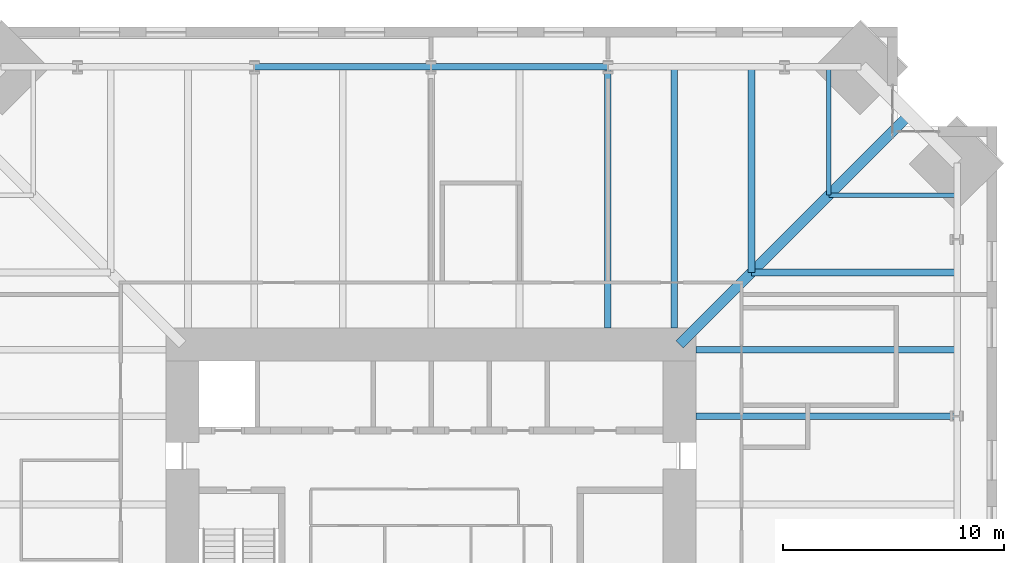
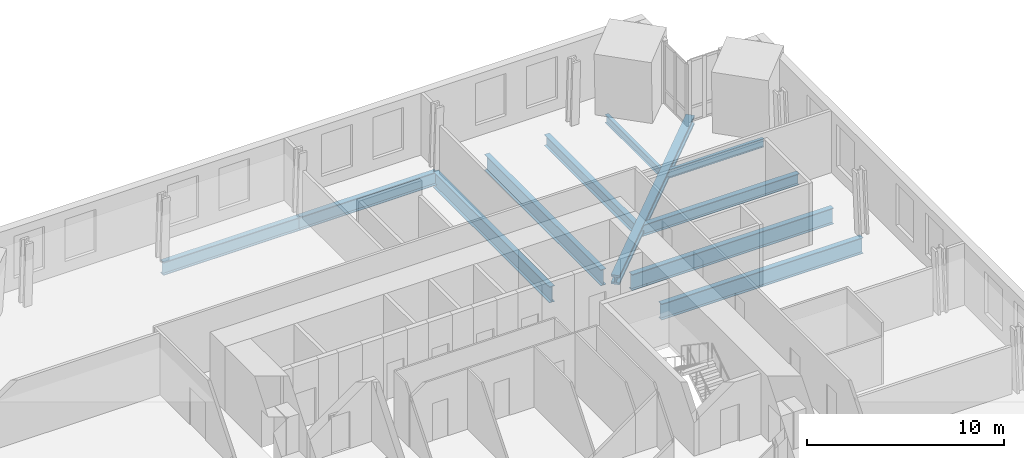
# One storey, part 9 of 18: 11 beams.
"""IFC4 building model written with IfcOpenShell, lengths in metres."""

from ifc_helpers import new_model, si_unit, direction, frame, origin, origin_2d, place, context, subcontext, project, spatial, i_section, extrude, material, material_profile, profile_set, type_object, element, save


model = new_model("IFC4")

# Units and contexts
model_context = context("Model", 3, precision=1e-05, world=origin(), true_north=direction((0.0, 1.0)))
body_context = subcontext(model_context, "Body", "Model", "MODEL_VIEW")
ifc_project = project(units=[si_unit("LENGTHUNIT", "METRE"), si_unit("AREAUNIT", "SQUARE_METRE"), si_unit("VOLUMEUNIT", "CUBIC_METRE"), si_unit("PLANEANGLEUNIT", "RADIAN"), si_unit("MASSUNIT", "GRAM", prefix="KILO")], contexts=[model_context])

# Site, building, storey
site_placement = place(None, origin())
site = spatial("IfcSite", under=ifc_project, at=site_placement, CompositionType="ELEMENT")
building_placement = place(site_placement, origin())
building = spatial("IfcBuilding", under=site, at=building_placement, Name="Peilmerk Tower", CompositionType="ELEMENT")
storey_placement = place(building_placement, frame((0.0, 0.0, 175.800048828125)))
storey = spatial("IfcBuildingStorey", under=building, at=storey_placement, Name="L37", CompositionType="ELEMENT", Elevation=175.800048828125)

# Beams
ifc_material_1 = material(Name="Steel S355", Category="steel")
ifc_material_profile_1 = material_profile(ifc_material_1, i_section(OverallWidth=0.300048828125, OverallDepth=0.989990234375, WebThickness=0.0166015625, FlangeThickness=0.031005859375, at=origin_2d()), Name="HEA 1000")
ifc_profile_set_1 = profile_set([ifc_material_profile_1], Name="Steel S355")
beam_type_1 = type_object("IfcBeamType", Name="B14 HEA 1000 floor girder", PredefinedType="BEAM", material=ifc_profile_set_1)
for number, where, z_axis, x_axis, name in (
    (1, (11.0, 12.0, -0.6650390625), (0.0, 1.0, 0.0), (-1.0, 0.0, 0.0), "Floor beam L37"),
    (2, (8.0, 12.0, -0.6650390625), (0.0, 1.0, 0.0), (-1.0, 0.0, 0.0), "Floor beam L37"),
    (3, (12.0, 8.0, -0.6650390625), (1.0, 0.0, 0.0), (0.0, 1.0, 0.0), "Floor beam L37"),
    (4, (12.0, 11.0, -0.6650390625), (1.0, 0.0, 0.0), (0.0, 1.0, 0.0), "Floor beam L37"),
):
    element("IfcBeam", number, at=place(storey_placement, frame(where, z_axis=z_axis, x_axis=x_axis)), inside=storey, type_object=beam_type_1, Name=name, PredefinedType="BEAM", context=body_context, shape_type="SweptSolid", body=[
        extrude(i_section(OverallWidth=0.300048828125, OverallDepth=0.989990234375, WebThickness=0.0166015625, FlangeThickness=0.031005859375, at=origin_2d()), origin(), (0.0, 0.0, 1.0), 11.80810546875),
    ])
ifc_material_profile_2 = material_profile(ifc_material_1, i_section(OverallWidth=0.302978515625, OverallDepth=0.81396484375, WebThickness=0.02099609375, FlangeThickness=0.0400390625, at=origin_2d()), Name="HEM 800")
ifc_profile_set_2 = profile_set([ifc_material_profile_2], Name="Steel S355")
beam_type_2 = type_object("IfcBeamType", Name="B15 HEM 800 edge beam", PredefinedType="SPANDREL", material=ifc_profile_set_2)
for number, where, z_axis, x_axis, name in (
    (5, (8.0, 23.80810546875, -0.5771484375), (-1.0, 0.0, 0.0), (0.0, -1.0, 0.0), "Edge beam L37"),
    (6, (0.0, 23.80810546875, -0.5771484375), (-1.0, 0.0, 0.0), (0.0, -1.0, 0.0), "Edge beam L37"),
):
    element("IfcBeam", number, at=place(storey_placement, frame(where, z_axis=z_axis, x_axis=x_axis)), inside=storey, type_object=beam_type_2, Name=name, PredefinedType="SPANDREL", context=body_context, shape_type="SweptSolid", body=[
        extrude(i_section(OverallWidth=0.302978515625, OverallDepth=0.81396484375, WebThickness=0.02099609375, FlangeThickness=0.0400390625, at=origin_2d()), origin(), (0.0, 0.0, 1.0), 8.0),
    ])
ifc_material_profile_3 = material_profile(ifc_material_1, i_section(OverallWidth=0.300048828125, OverallDepth=0.68994140625, WebThickness=0.014404296875, FlangeThickness=0.027099609375, at=origin_2d()), Name="HEA 700")
ifc_profile_set_3 = profile_set([ifc_material_profile_3], Name="Steel S355")
beam_type_3 = type_object("IfcBeamType", Name="B16 HEA 700 floor beam", PredefinedType="BEAM", material=ifc_profile_set_3)
for number, where, z_axis, x_axis, name in (
    (7, (14.5, 14.5, -0.51513671875), (0.0, 1.0, 0.0), (-1.0, 0.0, 0.0), "Floor beam L37"),
    (8, (14.5, 14.5, -0.51513671875), (1.0, 0.0, 0.0), (0.0, 1.0, 0.0), "Floor beam L37"),
):
    element("IfcBeam", number, at=place(storey_placement, frame(where, z_axis=z_axis, x_axis=x_axis)), inside=storey, type_object=beam_type_3, Name=name, PredefinedType="BEAM", context=body_context, shape_type="SweptSolid", body=[
        extrude(i_section(OverallWidth=0.300048828125, OverallDepth=0.68994140625, WebThickness=0.014404296875, FlangeThickness=0.027099609375, at=origin_2d()), origin(), (0.0, 0.0, 1.0), 9.30810546875),
    ])
ifc_material_profile_4 = material_profile(ifc_material_1, i_section(OverallWidth=0.199951171875, OverallDepth=0.5, WebThickness=0.01025390625, FlangeThickness=0.01611328125, at=origin_2d()), Name="IPE 500")
ifc_profile_set_4 = profile_set([ifc_material_profile_4], Name="Steel S355")
beam_type_4 = type_object("IfcBeamType", Name="B32 IPE 500 floor beam", PredefinedType="BEAM", material=ifc_profile_set_4)
for number, where, z_axis, x_axis, name in (
    (9, (18.0, 18.0, -0.420166015625), (0.0, 1.0, 0.0), (-1.0, 0.0, 0.0), "Floor beam L37"),
    (10, (18.0, 18.0, -0.420166015625), (1.0, 0.0, 0.0), (0.0, 1.0, 0.0), "Floor beam L37"),
):
    element("IfcBeam", number, at=place(storey_placement, frame(where, z_axis=z_axis, x_axis=x_axis)), inside=storey, type_object=beam_type_4, Name=name, PredefinedType="BEAM", context=body_context, shape_type="SweptSolid", body=[
        extrude(i_section(OverallWidth=0.199951171875, OverallDepth=0.5, WebThickness=0.01025390625, FlangeThickness=0.01611328125, at=origin_2d()), origin(), (0.0, 0.0, 1.0), 5.80810546875),
    ])
ifc_material_2 = material(Name="Steel S460", Category="steel")
ifc_material_profile_5 = material_profile(ifc_material_2, i_section(OverallWidth=0.4541015625, OverallDepth=0.569091796875, WebThickness=0.077880859375, FlangeThickness=0.125, at=origin_2d()), Name="HD 400x1086")
ifc_profile_set_5 = profile_set([ifc_material_profile_5], Name="Steel S460")
beam_type_5 = type_object("IfcBeamType", Name="B9 HD 400x1086 corner girder", PredefinedType="BEAM", material=ifc_profile_set_5)
beam_placement = place(storey_placement, frame((11.25, 11.25, -0.45458984375), z_axis=(0.707106781187, 0.707106781187, 0.0), x_axis=(-0.707106781187, 0.707106781187, 0.0)))
element("IfcBeam", 11, at=beam_placement, inside=storey, type_object=beam_type_5, Name="Corner girder L37", PredefinedType="BEAM", context=body_context, shape_type="SweptSolid", body=[
    extrude(i_section(OverallWidth=0.4541015625, OverallDepth=0.569091796875, WebThickness=0.077880859375, FlangeThickness=0.125, at=origin_2d()), origin(), (0.0, 0.0, 1.0), 14.683837890625),
])

save(model, "model.ifc")
